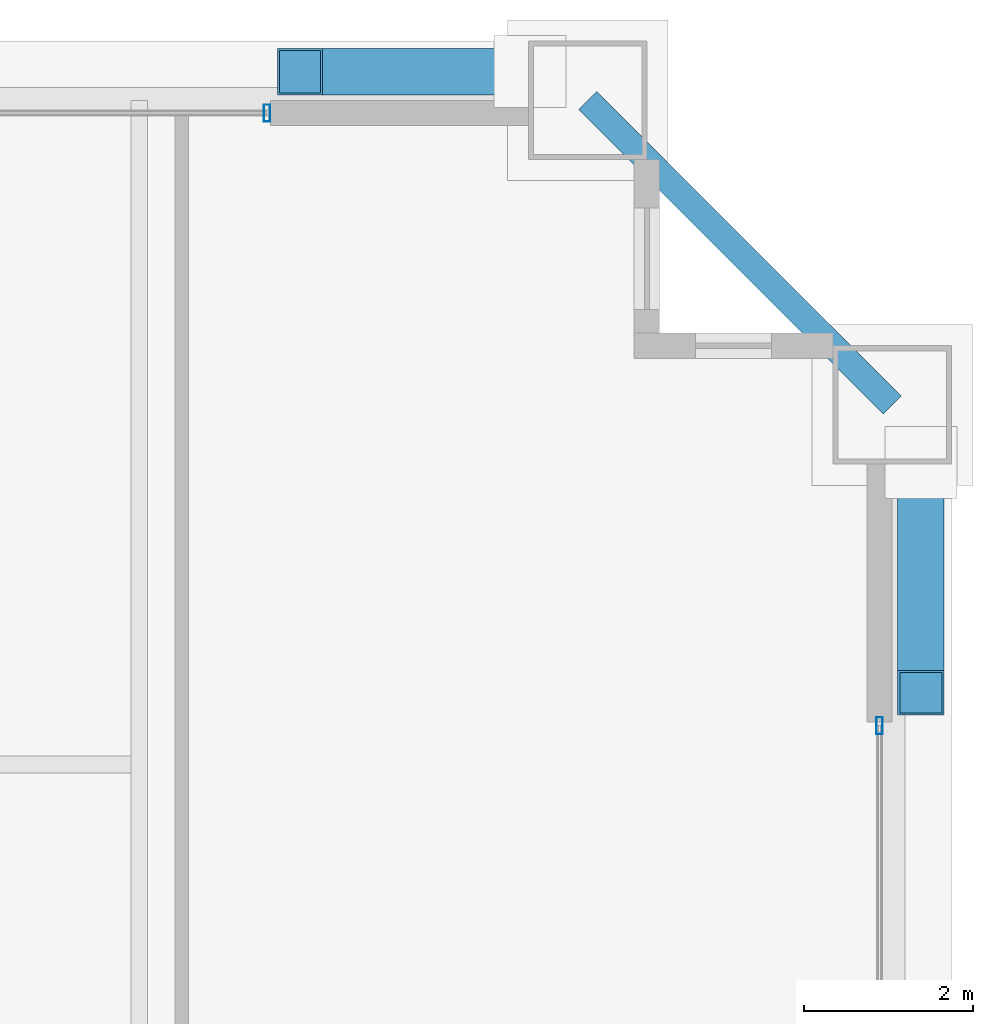
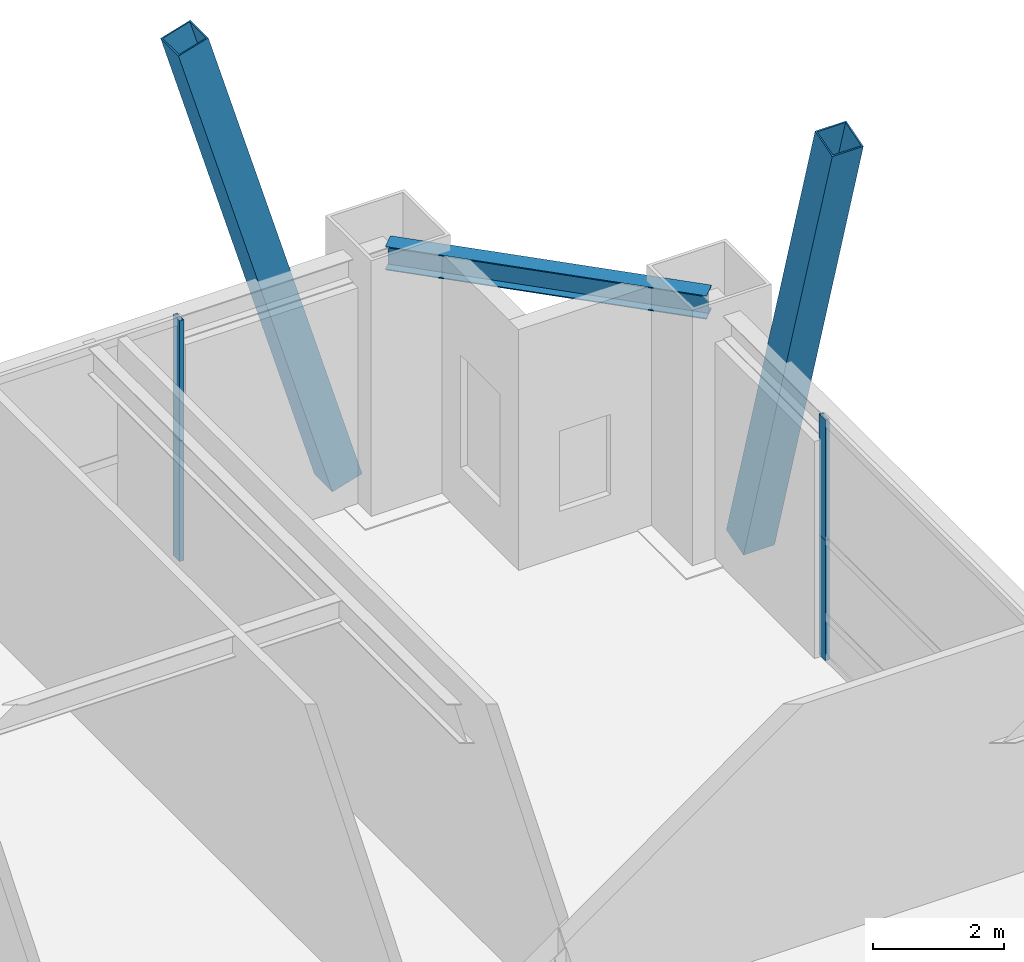
# One storey, part 28 of 34: 6 members, 1 beam, 2 elements without a shape of their own.
"""IFC4 building model written with IfcOpenShell, lengths in metres."""

from ifc_helpers import new_model, si_unit, direction, frame, origin, origin_2d, place, context, subcontext, project, spatial, hollow_rectangle, i_section, extrude, source, transform, mapped, material, layer, layer_set, material_profile, profile_set, type_object, element, aggregate, save


model = new_model("IFC4")

# Units and contexts
model_context = context("Model", 3, precision=1e-05, world=origin(), true_north=direction((0.0, 1.0)))
body_context = subcontext(model_context, "Body", "Model", "MODEL_VIEW")
ifc_project = project(units=[si_unit("LENGTHUNIT", "METRE"), si_unit("AREAUNIT", "SQUARE_METRE"), si_unit("VOLUMEUNIT", "CUBIC_METRE"), si_unit("PLANEANGLEUNIT", "RADIAN"), si_unit("MASSUNIT", "GRAM", prefix="KILO"), si_unit("THERMODYNAMICTEMPERATUREUNIT", "KELVIN"), si_unit("POWERUNIT", "WATT")], contexts=[model_context])

# Site, building, storey
site_placement = place(None, origin())
site = spatial("IfcSite", under=ifc_project, at=site_placement, CompositionType="ELEMENT")
building_placement = place(site_placement, origin())
building = spatial("IfcBuilding", under=site, at=building_placement, Name="Yuzanri Waterfront Tower", CompositionType="ELEMENT")
storey_placement = place(building_placement, frame((0.0, 0.0, 166.800048828125)))
storey = spatial("IfcBuildingStorey", under=building, at=storey_placement, Name="L44", CompositionType="ELEMENT", Elevation=166.800048828125)

# Beam
ifc_material_1 = material(Name="Steel Q355B", Category="steel")
ifc_material_profile_1 = material_profile(ifc_material_1, i_section(OverallWidth=0.300048828125, OverallDepth=0.43994140625, WebThickness=0.010986328125, FlangeThickness=0.01806640625, at=origin_2d()), Name="HM 440x300x11x18")
ifc_profile_set_1 = profile_set([ifc_material_profile_1], Name="Steel Q355B")
beam_type = type_object("IfcBeamType", Name="Perimeter Spandrel Q355B HM 440x300", PredefinedType="SPANDREL", material=ifc_profile_set_1)
shared_shape_1 = source(origin(), body_context, "Body", "SweptSolid", [
    extrude(i_section(OverallWidth=0.300048828125, OverallDepth=0.43994140625, WebThickness=0.010986328125, FlangeThickness=0.01806640625, at=origin_2d()), origin(), (0.0, 0.0, 1.0), 5.091064453125),
])
beam_placement = place(storey_placement, frame((59.10009765625, 44.300048828125, 4.280029296875), z_axis=(-0.707130757816, 0.707082803744, 0.0), x_axis=(-0.707082803744, -0.707130757816, 0.0)))
element("IfcBeam", 1, at=beam_placement, inside=storey, type_object=beam_type, Name="L44 Perimeter Spandrel E3-N3", PredefinedType="SPANDREL", context=body_context, shape_type="MappedRepresentation", body=[
    mapped(shared_shape_1, transform((0.0, 0.0, 0.0), scale=1.0)),
])

# Members
ifc_material_2 = material(Name="Steel Q390GJC", Category="steel")
ifc_material_profile_2 = material_profile(ifc_material_2, hollow_rectangle(XDim=0.550048828125, YDim=0.550048828125, WallThickness=0.02490234375, at=origin_2d()), Name="RHS 550x550x25")
ifc_profile_set_2 = profile_set([ifc_material_profile_2], Name="Steel Q390GJC")
member_type_1 = type_object("IfcMemberType", Name="Mega Brace Mid Q390GJC RHS 550x550x25", PredefinedType="BRACE", material=ifc_profile_set_2)
shared_shape_2 = source(origin(), body_context, "Body", "SweptSolid", [
    extrude(hollow_rectangle(XDim=0.550048828125, YDim=0.550048828125, WallThickness=0.02490234375, at=origin_2d()), origin(), (0.0, 0.0, 1.0), 9.497802734375),
])
member_1_placement = place(storey_placement, frame((54.820068359375, 48.239990234375, 0.179931640625), z_axis=(-0.286376146952, 0.0, 0.958117269679), x_axis=(0.0, -1.0, 0.0)))
element("IfcMember", 2, at=member_1_placement, inside=storey, type_object=member_type_1, Name="L44-L45 Perimeter Mega-Brace N-R", PredefinedType="BRACE", context=body_context, shape_type="MappedRepresentation", body=[
    mapped(shared_shape_2, transform((0.0, 0.0, 0.0), scale=1.0)),
])
shared_shape_3 = source(origin(), body_context, "Body", "SweptSolid", [
    extrude(hollow_rectangle(XDim=0.550048828125, YDim=0.550048828125, WallThickness=0.02490234375, at=origin_2d()), origin(), (0.0, 0.0, 1.0), 9.498046875),
])
member_2_placement = place(storey_placement, frame((59.43994140625, 43.6201171875, 0.179931640625), z_axis=(0.0, -0.286399743323, 0.958110216533), x_axis=(1.0, 0.0, 0.0)))
element("IfcMember", 3, at=member_2_placement, inside=storey, type_object=member_type_1, Name="L44-L45 Perimeter Mega-Brace E-R", PredefinedType="BRACE", context=body_context, shape_type="MappedRepresentation", body=[
    mapped(shared_shape_3, transform((0.0, 0.0, 0.0), scale=1.0)),
])

# Curtain wall, members
ifc_material_3 = material(Name="Anodized Architectural Bronze", Category="metal")
ifc_layer = layer(ifc_material_3, 0.159912109375)
ifc_layer_set = layer_set([ifc_layer], Name="Anodized Architectural Bronze")
curtain_wall_type = type_object("IfcCurtainWallType", Name="Anodized Bronze Sky-Lobby Triple-Glazed Feature Curtain Wall 7500", PredefinedType="NOTDEFINED", material=ifc_layer_set)
curtain_wall_1_placement = place(storey_placement, origin())
curtain_wall_1 = element("IfcCurtainWall", 4, at=curtain_wall_1_placement, inside=storey, type_object=curtain_wall_type, Name="L44 Curtain Wall CW-L44-NR", PredefinedType="NOTDEFINED")
ifc_material_4 = material(Name="Anodized Architectural Bronze", Category="metal")
ifc_material_profile_3 = material_profile(ifc_material_4, hollow_rectangle(XDim=0.074951171875, YDim=0.199951171875, WallThickness=0.00390625, at=origin_2d()), Name="CWM 75x200")
ifc_profile_set_3 = profile_set([ifc_material_profile_3], Name="Anodized Architectural Bronze")
member_type_2 = type_object("IfcMemberType", Name="Anodized Bronze Primary Curtain-Wall Mullion 75x200", PredefinedType="MULLION", material=ifc_profile_set_3)
shared_shape_4 = source(origin(), body_context, "Body", "SweptSolid", [
    extrude(hollow_rectangle(XDim=0.074951171875, YDim=0.199951171875, WallThickness=0.00390625, at=origin_2d()), origin(), (0.0, 0.0, 1.0), 2.248046875),
])
member_3_placement = place(storey_placement, frame((51.7099609375, 47.75, 0.0), z_axis=(0.0, 0.0, 1.0), x_axis=(1.0, 0.0, 0.0)))
member_3 = element("IfcMember", 5, at=member_3_placement, type_object=member_type_2, Name="CW-L44-NR Lower Mullion 02", PredefinedType="MULLION", context=body_context, shape_type="MappedRepresentation", body=[
    mapped(shared_shape_4, transform((0.0, 0.0, 0.0), scale=1.0)),
])
member_4_placement = place(storey_placement, frame((51.7099609375, 47.75, 2.251953125), z_axis=(0.0, 0.0, 1.0), x_axis=(1.0, 0.0, 0.0)))
member_4 = element("IfcMember", 6, at=member_4_placement, type_object=member_type_2, Name="CW-L44-NR Upper Mullion 02", PredefinedType="MULLION", context=body_context, shape_type="MappedRepresentation", body=[
    mapped(shared_shape_4, transform((0.0, 0.0, 0.0), scale=1.0)),
])
aggregate(curtain_wall_1, [member_3, member_4])

curtain_wall_2_placement = place(storey_placement, origin())
curtain_wall_2 = element("IfcCurtainWall", 7, at=curtain_wall_2_placement, inside=storey, type_object=curtain_wall_type, Name="L44 Curtain Wall CW-L44-ER", PredefinedType="NOTDEFINED")
member_5_placement = place(storey_placement, frame((58.949951171875, 40.510009765625, 0.0), z_axis=(0.0, 0.0, 1.0), x_axis=(1.0, 0.0, 0.0)))
member_5 = element("IfcMember", 8, at=member_5_placement, type_object=member_type_2, Name="CW-L44-ER Lower Mullion 02", PredefinedType="MULLION", context=body_context, shape_type="MappedRepresentation", body=[
    mapped(shared_shape_4, transform((0.0, 0.0, 0.0), scale=1.0)),
])
member_6_placement = place(storey_placement, frame((58.949951171875, 40.510009765625, 2.251953125), z_axis=(0.0, 0.0, 1.0), x_axis=(1.0, 0.0, 0.0)))
member_6 = element("IfcMember", 9, at=member_6_placement, type_object=member_type_2, Name="CW-L44-ER Upper Mullion 02", PredefinedType="MULLION", context=body_context, shape_type="MappedRepresentation", body=[
    mapped(shared_shape_4, transform((0.0, 0.0, 0.0), scale=1.0)),
])
aggregate(curtain_wall_2, [member_5, member_6])

save(model, "model.ifc")
